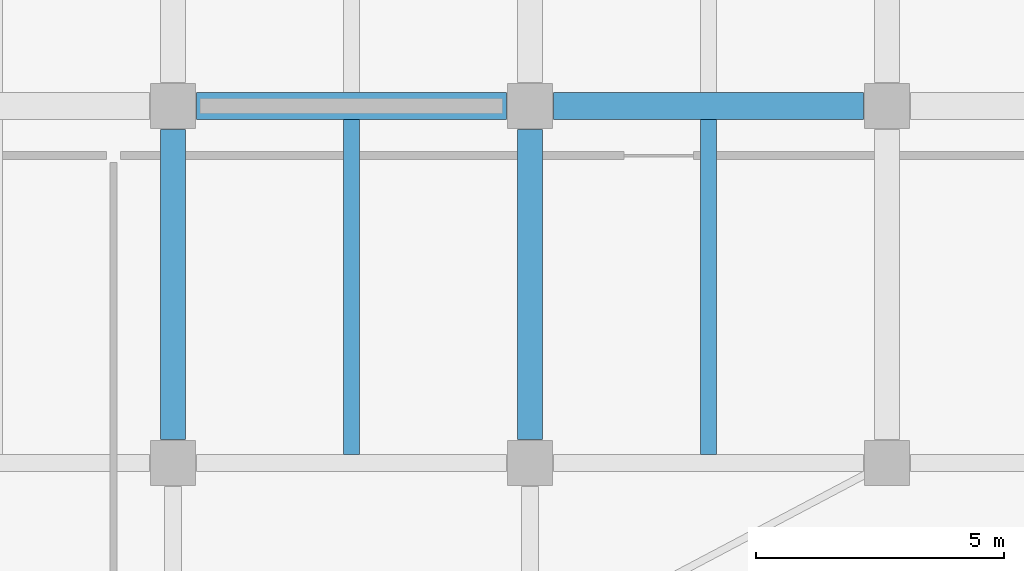
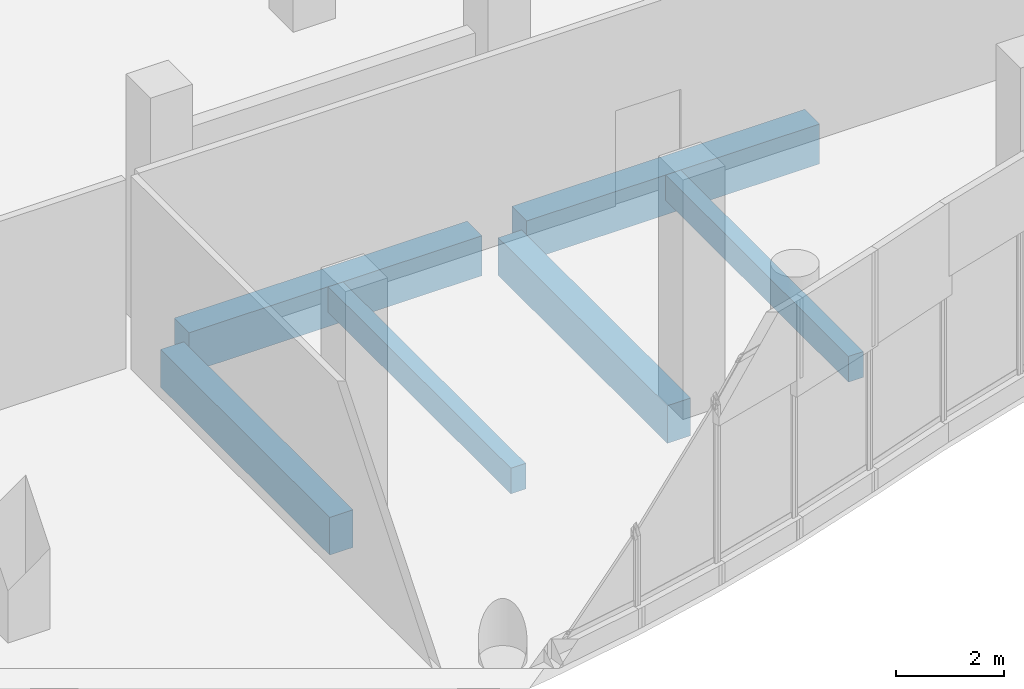
# One storey, part 80 of 192: 6 beams.
"""IFC4 building model written with IfcOpenShell, lengths in metres."""

from ifc_helpers import new_model, si_unit, direction, frame, origin, origin_2d, place, context, subcontext, project, spatial, rectangle, extrude, material, material_profile, profile_set, type_object, element, save


model = new_model("IFC4")

# Units and contexts
model_context = context("Model", 3, precision=1e-05, world=origin(), true_north=direction((0.0, 1.0)))
body_context = subcontext(model_context, "Body", "Model", "MODEL_VIEW")
ifc_project = project(units=[si_unit("LENGTHUNIT", "METRE"), si_unit("AREAUNIT", "SQUARE_METRE"), si_unit("VOLUMEUNIT", "CUBIC_METRE"), si_unit("PLANEANGLEUNIT", "RADIAN"), si_unit("MASSUNIT", "GRAM", prefix="KILO")], contexts=[model_context])

# Site, building, storey
site_placement = place(None, origin())
site = spatial("IfcSite", under=ifc_project, at=site_placement, CompositionType="ELEMENT")
building_placement = place(site_placement, origin())
building = spatial("IfcBuilding", under=site, at=building_placement, Name="Cendralis Lancet Convention Centre", CompositionType="ELEMENT")
storey_placement = place(building_placement, origin())
storey = spatial("IfcBuildingStorey", under=building, at=storey_placement, Name="L00", CompositionType="ELEMENT", Elevation=0.0)

# Beams
ifc_material_1 = material(Name="Concrete G40 (C40/50)", Category="concrete")
ifc_material_profile_1 = material_profile(ifc_material_1, rectangle(XDim=0.550048828125, YDim=0.89990234375, at=origin_2d()), Name="RCB 550x900")
ifc_profile_set_1 = profile_set([ifc_material_profile_1], Name="Concrete G40 (C40/50)")
beam_type_1 = type_object("IfcBeamType", Name="STR-BM-BG06", PredefinedType="BEAM", material=ifc_profile_set_1)
for number, where, z_axis, x_axis, name in (
    (1, (161.27490234375, 14.39990234375, -0.77001953125), (1.0, 0.0, 0.0), (0.0, 1.0, 0.0), "L00 Beam BG06 #0015"),
    (2, (168.47509765625, 14.39990234375, -0.77001953125), (1.0, 0.0, 0.0), (0.0, 1.0, 0.0), "L00 Beam BG06 #0016"),
):
    element("IfcBeam", number, at=place(storey_placement, frame(where, z_axis=z_axis, x_axis=x_axis)), inside=storey, type_object=beam_type_1, Name=name, PredefinedType="BEAM", context=body_context, shape_type="SweptSolid", body=[
        extrude(rectangle(XDim=0.550048828125, YDim=0.89990234375, at=origin_2d()), origin(), (0.0, 0.0, 1.0), 6.25),
    ])
ifc_material_2 = material(Name="Concrete G35 (C35/45)", Category="concrete")
ifc_material_profile_2 = material_profile(ifc_material_2, rectangle(XDim=0.5, YDim=0.85009765625, at=origin_2d()), Name="RCB 500x850")
ifc_profile_set_2 = profile_set([ifc_material_profile_2], Name="Concrete G35 (C35/45)")
beam_type_2 = type_object("IfcBeamType", Name="STR-BM-BG08", PredefinedType="BEAM", material=ifc_profile_set_2)
for number, where, z_axis, x_axis, name in (
    (3, (160.800048828125, 7.675048828125, -0.7451171875), (0.0, 1.0, 0.0), (-1.0, 0.0, 0.0), "L00 Beam BG08 #0066"),
    (4, (168.0, 7.675048828125, -0.7451171875), (0.0, 1.0, 0.0), (-1.0, 0.0, 0.0), "L00 Beam BG08 #0070"),
):
    element("IfcBeam", number, at=place(storey_placement, frame(where, z_axis=z_axis, x_axis=x_axis)), inside=storey, type_object=beam_type_2, Name=name, PredefinedType="BEAM", context=body_context, shape_type="SweptSolid", body=[
        extrude(rectangle(XDim=0.5, YDim=0.85009765625, at=origin_2d()), origin(), (0.0, 0.0, 1.0), 6.25),
    ])
ifc_material_profile_3 = material_profile(ifc_material_2, rectangle(XDim=0.320068359375, YDim=0.580078125, at=origin_2d()), Name="RCB 320x580")
ifc_profile_set_3 = profile_set([ifc_material_profile_3], Name="Concrete G35 (C35/45)")
beam_type_3 = type_object("IfcBeamType", Name="STR-JS-BJ01", PredefinedType="JOIST", material=ifc_profile_set_3)
for number, where, z_axis, x_axis, name in (
    (5, (164.39990234375, 7.375, -0.610107421875), (0.0, 1.0, 0.0), (-1.0, 0.0, 0.0), "L00 Beam BJ01 #0107"),
    (6, (171.60009765625, 7.375, -0.610107421875), (0.0, 1.0, 0.0), (-1.0, 0.0, 0.0), "L00 Beam BJ01 #0110"),
):
    element("IfcBeam", number, at=place(storey_placement, frame(where, z_axis=z_axis, x_axis=x_axis)), inside=storey, type_object=beam_type_3, Name=name, PredefinedType="JOIST", context=body_context, shape_type="SweptSolid", body=[
        extrude(rectangle(XDim=0.320068359375, YDim=0.580078125, at=origin_2d()), origin(), (0.0, 0.0, 1.0), 6.75),
    ])

save(model, "model.ifc")
